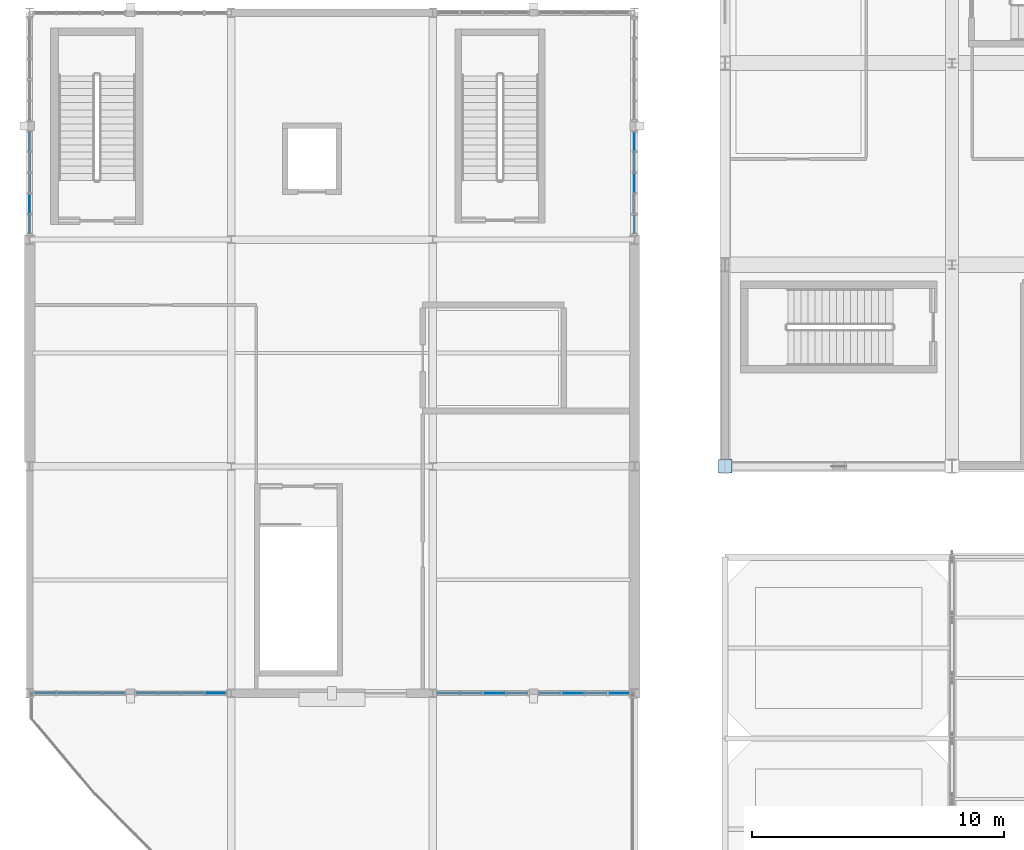
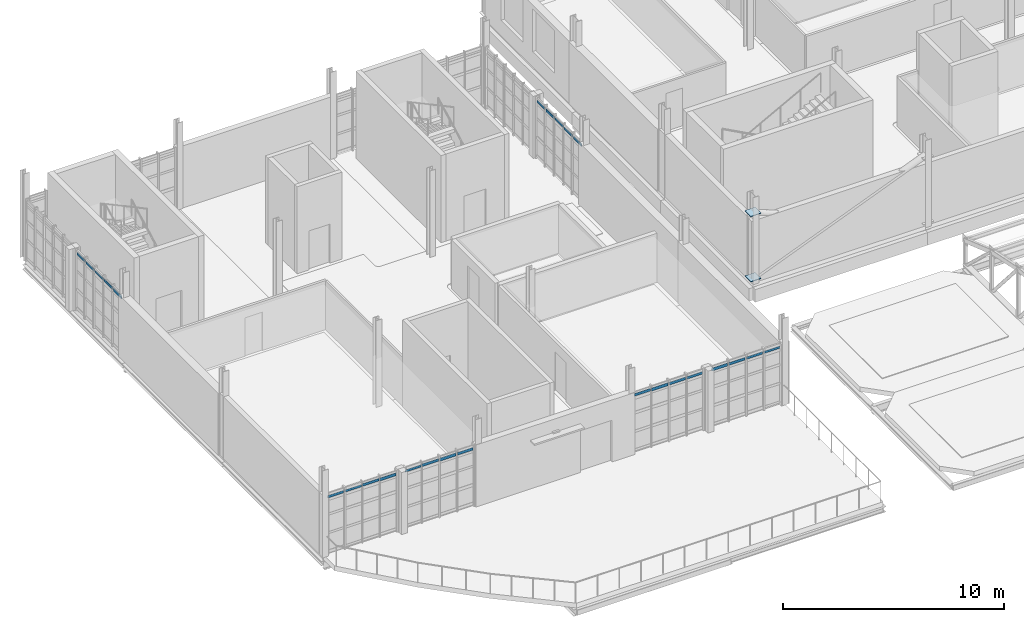
# One storey, part 96 of 128: 28 plates, 6 elements without a shape of their own.
"""IFC4 building model written with IfcOpenShell, lengths in metres."""

import ifcopenshell
import ifcopenshell.guid

model = None  # the IFC model being written
_history = None  # IfcOwnerHistory: only IFC2X3 demands one
_inside = {}  # id of a spatial element -> (the spatial element, [elements in it])
_under = {}  # id of a project, library or spatial element -> (it, [spatial elements below it])
_declared = {}  # id of a project -> (the project, [libraries it declares])
_typed = {}  # id of a type object -> (the type object, [elements of that type])
_made_of = {}  # id of a material, layer set ... -> (it, [elements and type objects made of it])


def new_model(schema):
    """Start an empty IFC model of exactly this schema.

    Asked for "IFC4X3", IfcOpenShell would pick the latest addendum, in which some entities
    have other attributes; the version numbers below select the first issue.
    IFC2X3 requires an IfcOwnerHistory on every rooted entity: one is made here for all.
    """
    global model, _history
    if schema == "IFC4X3":
        model = ifcopenshell.file(schema_version=(4, 3, 0, 0))
    else:
        model = ifcopenshell.file(schema=schema)
    _inside.clear()
    _under.clear()
    _declared.clear()
    _typed.clear()
    _made_of.clear()
    _history = None
    if model.schema == "IFC2X3":
        org = make("IfcOrganization", Name="unknown")
        user = make(
            "IfcPersonAndOrganization",
            ThePerson=make("IfcPerson", FamilyName="unknown"),
            TheOrganization=org,
        )
        app = make(
            "IfcApplication",
            ApplicationDeveloper=org,
            Version="unknown",
            ApplicationFullName="unknown",
            ApplicationIdentifier="unknown",
        )
        _history = make(
            "IfcOwnerHistory",
            OwningUser=user,
            OwningApplication=app,
            ChangeAction="ADDED",
            CreationDate=0,
        )
    return model


def make(cls, **values):
    """One entity of the class cls with the attributes given. An attribute that is None is left unset."""
    return model.create_entity(
        cls, **{name: value for name, value in values.items() if value is not None}
    )


def rooted(cls, **values):
    """An entity with a GlobalId (a new one), such as an element, a storey or a relation."""
    return make(cls, GlobalId=ifcopenshell.guid.new(), OwnerHistory=_history, **values)


def si_unit(unit_type, name, prefix=None):
    """IfcSIUnit, for example si_unit("LENGTHUNIT", "METRE", prefix="MILLI")."""
    return make("IfcSIUnit", UnitType=unit_type, Prefix=prefix, Name=name)


def assignment(units):
    """IfcUnitAssignment: the units of a project."""
    return None if units is None else make("IfcUnitAssignment", Units=units)


def point(xyz):
    """IfcCartesianPoint."""
    return None if xyz is None else make("IfcCartesianPoint", Coordinates=xyz)


def direction(xyz):
    """IfcDirection."""
    return None if xyz is None else make("IfcDirection", DirectionRatios=xyz)


def frame(location, z_axis=None, x_axis=None):
    """IfcAxis2Placement3D, a coordinate frame: its origin and axes. An axis left out is left unset."""
    return make(
        "IfcAxis2Placement3D",
        Location=point(location),
        Axis=direction(z_axis),
        RefDirection=direction(x_axis),
    )


def frame_2d(location, x_axis=None):
    """IfcAxis2Placement2D, a coordinate frame in the plane: its origin and x axis."""
    return make(
        "IfcAxis2Placement2D", Location=point(location), RefDirection=direction(x_axis)
    )


def origin():
    """The frame at (0, 0, 0) with its axes left unset."""
    return frame((0.0, 0.0, 0.0))


def origin_2d():
    """The frame at (0, 0) in the plane with its x axis left unset."""
    return frame_2d((0.0, 0.0))


def place(relative_to, where):
    """IfcLocalPlacement: puts the frame where relative to a parent placement (None: the world)."""
    return make(
        "IfcLocalPlacement", PlacementRelTo=relative_to, RelativePlacement=where
    )


def context(
    kind, dimensions, precision=None, world=None, true_north=None, identifier=None
):
    """IfcGeometricRepresentationContext, for example the 3D "Model" context."""
    return make(
        "IfcGeometricRepresentationContext",
        ContextIdentifier=identifier,
        ContextType=kind,
        CoordinateSpaceDimension=dimensions,
        Precision=precision,
        WorldCoordinateSystem=world,
        TrueNorth=true_north,
    )


def subcontext(parent, identifier, kind, view, scale=None):
    """IfcGeometricRepresentationSubContext, for example "Body" below "Model"."""
    return make(
        "IfcGeometricRepresentationSubContext",
        ContextIdentifier=identifier,
        ContextType=kind,
        ParentContext=parent,
        TargetScale=scale,
        TargetView=view,
    )


def project(units=None, contexts=None):
    """IfcProject with its units and contexts."""
    return rooted(
        "IfcProject",
        Name="project",
        RepresentationContexts=contexts,
        UnitsInContext=assignment(units),
    )


def spatial(cls, under=None, at=None, **own):
    """A site, building, storey or space (cls), placed at a placement, below another one or the project."""
    s = rooted(cls, ObjectPlacement=at, **own)
    if under is not None:
        _under.setdefault(under.id(), (under, []))[1].append(s)
    return s


def profile(cls, at=None, kind="AREA", **sizes):
    """A parametric profile (cls). Its sizes go by their IFC names, for example OverallWidth=200.0."""
    return make(cls, ProfileType=kind, Position=at, **sizes)


def rectangle(**sizes):
    """IfcRectangleProfileDef."""
    return profile("IfcRectangleProfileDef", **sizes)


def extrude(swept, where, along, depth):
    """IfcExtrudedAreaSolid: the profile swept, set in the frame where, extruded along a direction by depth."""
    return make(
        "IfcExtrudedAreaSolid",
        SweptArea=swept,
        Position=where,
        ExtrudedDirection=direction(along),
        Depth=depth,
    )


def shape(context_of_items, identifier, shape_type, items):
    """IfcShapeRepresentation: the items that make up one representation, for example the "Body"."""
    return make(
        "IfcShapeRepresentation",
        ContextOfItems=context_of_items,
        RepresentationIdentifier=identifier,
        RepresentationType=shape_type,
        Items=items,
    )


def material(Name=None, Category=None):
    """IfcMaterial."""
    return make("IfcMaterial", Name=Name, Category=Category)


def layer(
    of_material, thickness, ventilated=None, Name=None, Category=None, Priority=None
):
    """IfcMaterialLayer: one layer of a wall or slab, of a material (None: an air gap)."""
    return make(
        "IfcMaterialLayer",
        Material=of_material,
        LayerThickness=thickness,
        IsVentilated=ventilated,
        Name=Name,
        Category=Category,
        Priority=Priority,
    )


def layer_set(layers, Name=None):
    """IfcMaterialLayerSet."""
    return make("IfcMaterialLayerSet", MaterialLayers=layers, LayerSetName=Name)


def made_of(thing, what):
    """Note that an element or type object is made of a material, layer set ...; save() writes the relation."""
    if what is not None:
        _made_of.setdefault(what.id(), (what, []))[1].append(thing)
    return thing


def type_object(cls, material=None, **own):
    """A type object (cls), such as IfcWallType, which elements share."""
    return made_of(rooted(cls, **own), material)


def element(
    cls,
    number,
    at=None,
    inside=None,
    cuts=None,
    type_object=None,
    material=None,
    context=None,
    identifier="Body",
    shape_type=None,
    held_by="IfcProductDefinitionShape",
    body=None,
    shapes=None,
    **own,
):
    """One element of the class cls, such as IfcWall. Its Tag is "e" and its number.

    at: its placement. inside: the storey or other place that contains it. cuts: it is an
    opening in that element (IfcRelVoidsElement). A single representation is given by context,
    identifier, shape_type and body (its items); several are given by shapes. held_by: the class
    of the entity that holds the representations. save() writes the other relations.
    """
    e = rooted(cls, Tag="e%d" % number, ObjectPlacement=at, **own)
    if body is not None:
        shapes = [shape(context, identifier, shape_type, body)]
    if shapes is not None:
        e.Representation = make(held_by, Representations=shapes)
    if inside is not None:
        _inside.setdefault(inside.id(), (inside, []))[1].append(e)
    if cuts is not None:
        rooted(
            "IfcRelVoidsElement", RelatingBuildingElement=cuts, RelatedOpeningElement=e
        )
    if type_object is not None:
        _typed.setdefault(type_object.id(), (type_object, []))[1].append(e)
    return made_of(e, material)


def aggregate(whole, parts):
    """IfcRelAggregates: a whole, such as a stair, and the parts it consists of."""
    return rooted("IfcRelAggregates", RelatingObject=whole, RelatedObjects=parts)


def save(model, path):
    """Write the relations noted so far, then the file.

    IfcRelAggregates (storeys below a building ...), IfcRelContainedInSpatialStructure (elements
    in a storey), IfcRelDefinesByType, IfcRelAssociatesMaterial and IfcRelDeclares: one each for
    every whole, place, type object, material and project.
    """
    for whole, parts in _under.values():
        aggregate(whole, parts)
    for where, things in _inside.values():
        rooted(
            "IfcRelContainedInSpatialStructure",
            RelatedElements=things,
            RelatingStructure=where,
        )
    for kind, things in _typed.values():
        rooted("IfcRelDefinesByType", RelatedObjects=things, RelatingType=kind)
    for what, things in _made_of.values():
        rooted("IfcRelAssociatesMaterial", RelatedObjects=things, RelatingMaterial=what)
    for by, libraries in _declared.values():
        rooted("IfcRelDeclares", RelatingContext=by, RelatedDefinitions=libraries)
    model.write(path)


model = new_model("IFC4")

# Units and contexts
model_context = context("Model", 3, precision=1e-05, world=origin(), true_north=direction((0.0, 1.0)))
body_context = subcontext(model_context, "Body", "Model", "MODEL_VIEW")
ifc_project = project(units=[si_unit("LENGTHUNIT", "METRE"), si_unit("AREAUNIT", "SQUARE_METRE"), si_unit("VOLUMEUNIT", "CUBIC_METRE"), si_unit("PLANEANGLEUNIT", "RADIAN"), si_unit("MASSUNIT", "GRAM", prefix="KILO")], contexts=[model_context])

# Site, building, storey
site_placement = place(None, origin())
site = spatial("IfcSite", under=ifc_project, at=site_placement, CompositionType="ELEMENT")
building_placement = place(site_placement, origin())
building = spatial("IfcBuilding", under=site, at=building_placement, Name="Serraforn Aerial Cableway Station", CompositionType="ELEMENT")
storey_placement = place(building_placement, frame((0.0, 0.0, 9.0)))
storey = spatial("IfcBuildingStorey", under=building, at=storey_placement, Name="L02", CompositionType="ELEMENT", Elevation=9.0)

# Curtain wall, plate
ifc_material_1 = material(Name="Anodised bronze unitised curtain wall")
curtain_wall_type_1 = type_object("IfcCurtainWallType", Name="CW-SYS-26", PredefinedType="USERDEFINED", material=ifc_material_1)
curtain_wall_1_placement = place(storey_placement, origin())
curtain_wall_1 = element("IfcCurtainWall", 1, at=curtain_wall_1_placement, inside=storey, type_object=curtain_wall_type_1, Name="Unitised Curtain Wall CW-W-L02-S3B", ObjectType="UNITISED CURTAIN WALL", PredefinedType="USERDEFINED")
ifc_material_2 = material(Name="Solar-control low-E double glazing", Category="glass")
ifc_layer_1 = layer(ifc_material_2, 0.02587890625)
ifc_layer_set_1 = layer_set([ifc_layer_1], Name="Solar-control low-E double glazing")
plate_type_1 = type_object("IfcPlateType", Name="CW-GLZ-1", PredefinedType="CURTAIN_PANEL", material=ifc_layer_set_1)
plate_1_placement = place(storey_placement, frame((23.38427734375, 9.0, 3.08251953125), z_axis=(0.0, 0.0, 1.0), x_axis=(1.0, 0.0, 0.0)))
plate_1 = element("IfcPlate", 2, at=plate_1_placement, type_object=plate_type_1, Name="Curtain Wall Panel CW-W-L02-S3B-P4-4", PredefinedType="CURTAIN_PANEL", context=body_context, shape_type="SweptSolid", body=[
    extrude(rectangle(XDim=0.82958984375, YDim=0.02587890625, at=origin_2d()), origin(), (0.0, 0.0, 1.0), 0.1201171875),
])

curtain_wall_type_2 = type_object("IfcCurtainWallType", Name="CW-SYS-5", PredefinedType="USERDEFINED", material=ifc_material_1)
curtain_wall_2_placement = place(storey_placement, origin())
curtain_wall_2 = element("IfcCurtainWall", 3, at=curtain_wall_2_placement, inside=storey, type_object=curtain_wall_type_2, Name="Unitised Curtain Wall CW-W-L02-E3A", ObjectType="UNITISED CURTAIN WALL", PredefinedType="USERDEFINED")
plate_2_placement = place(storey_placement, frame((24.0, 30.88720703125, 3.0673828125), z_axis=(0.0, 0.0, 1.0), x_axis=(1.0, 0.0, 0.0)))
plate_2 = element("IfcPlate", 4, at=plate_2_placement, type_object=plate_type_1, Name="Curtain Wall Panel CW-W-L02-E3A-P5-4", PredefinedType="CURTAIN_PANEL", context=body_context, shape_type="SweptSolid", body=[
    extrude(rectangle(XDim=0.02587890625, YDim=0.72998046875, at=origin_2d()), origin(), (0.0, 0.0, 1.0), 0.150146484375),
])

# Curtain wall, plates
curtain_wall_type_3 = type_object("IfcCurtainWallType", Name="CW-SYS-23", PredefinedType="USERDEFINED", material=ifc_material_1)
curtain_wall_3_placement = place(storey_placement, origin())
curtain_wall_3 = element("IfcCurtainWall", 5, at=curtain_wall_3_placement, inside=storey, type_object=curtain_wall_type_3, Name="Unitised Curtain Wall CW-W-L02-S1A", ObjectType="UNITISED CURTAIN WALL", PredefinedType="USERDEFINED")
ifc_layer_2 = layer(ifc_material_2, 0.030029296875)
ifc_layer_set_2 = layer_set([ifc_layer_2], Name="Solar-control low-E double glazing")
plate_type_2 = type_object("IfcPlateType", Name="CW-GLZ-3", PredefinedType="CURTAIN_PANEL", material=ifc_layer_set_2)
plate_3_placement = place(storey_placement, frame((0.623291015625, 9.0, 3.0751953125), z_axis=(0.0, 0.0, 1.0), x_axis=(1.0, 0.0, 0.0)))
plate_3 = element("IfcPlate", 6, at=plate_3_placement, type_object=plate_type_2, Name="Curtain Wall Panel CW-W-L02-S1A-P1-4", PredefinedType="CURTAIN_PANEL", context=body_context, shape_type="SweptSolid", body=[
    extrude(rectangle(XDim=0.814453125, YDim=0.030029296875, at=origin_2d()), origin(), (0.0, 0.0, 1.0), 0.135009765625),
])
ifc_layer_3 = layer(ifc_material_2, 0.031982421875)
ifc_layer_set_3 = layer_set([ifc_layer_3], Name="Solar-control low-E double glazing")
plate_type_3 = type_object("IfcPlateType", Name="CW-GLZ-4", PredefinedType="CURTAIN_PANEL", material=ifc_layer_set_3)
plate_4_placement = place(storey_placement, frame((1.530029296875, 9.0, 3.08251953125), z_axis=(0.0, 0.0, 1.0), x_axis=(1.0, 0.0, 0.0)))
plate_4 = element("IfcPlate", 7, at=plate_4_placement, type_object=plate_type_3, Name="Curtain Wall Panel CW-W-L02-S1A-P2-4", PredefinedType="CURTAIN_PANEL", context=body_context, shape_type="SweptSolid", body=[
    extrude(rectangle(XDim=0.85693359375, YDim=0.031982421875, at=origin_2d()), origin(), (0.0, 0.0, 1.0), 0.1201171875),
])

# Curtain wall, plate
curtain_wall_type_4 = type_object("IfcCurtainWallType", Name="CW-SYS-24", PredefinedType="USERDEFINED", material=ifc_material_1)
curtain_wall_4_placement = place(storey_placement, origin())
curtain_wall_4 = element("IfcCurtainWall", 8, at=curtain_wall_4_placement, inside=storey, type_object=curtain_wall_type_4, Name="Unitised Curtain Wall CW-W-L02-S1B", ObjectType="UNITISED CURTAIN WALL", PredefinedType="USERDEFINED")
plate_5_placement = place(storey_placement, frame((4.66259765625, 9.0, 3.08251953125), z_axis=(0.0, 0.0, 1.0), x_axis=(1.0, 0.0, 0.0)))
plate_5 = element("IfcPlate", 9, at=plate_5_placement, type_object=plate_type_3, Name="Curtain Wall Panel CW-W-L02-S1B-P1-4", PredefinedType="CURTAIN_PANEL", context=body_context, shape_type="SweptSolid", body=[
    extrude(rectangle(XDim=0.819580078125, YDim=0.031982421875, at=origin_2d()), origin(), (0.0, 0.0, 1.0), 0.1201171875),
])

curtain_wall_type_5 = type_object("IfcCurtainWallType", Name="CW-SYS-4", PredefinedType="USERDEFINED", material=ifc_material_1)
curtain_wall_5_placement = place(storey_placement, origin())
curtain_wall_5 = element("IfcCurtainWall", 10, at=curtain_wall_5_placement, inside=storey, type_object=curtain_wall_type_5, Name="Unitised Curtain Wall CW-W-L02-W3B", ObjectType="UNITISED CURTAIN WALL", PredefinedType="USERDEFINED")
plate_6_placement = place(storey_placement, frame((0.0, 30.890869140625, 3.0673828125), z_axis=(0.0, 0.0, 1.0), x_axis=(1.0, 0.0, 0.0)))
plate_6 = element("IfcPlate", 11, at=plate_6_placement, type_object=plate_type_3, Name="Curtain Wall Panel CW-W-L02-W3B-P1-4", PredefinedType="CURTAIN_PANEL", context=body_context, shape_type="SweptSolid", body=[
    extrude(rectangle(XDim=0.031982421875, YDim=0.732421875, at=origin_2d()), origin(), (0.0, 0.0, 1.0), 0.150146484375),
])

# Plate
ifc_layer_4 = layer(ifc_material_2, 0.033935546875)
ifc_layer_set_4 = layer_set([ifc_layer_4], Name="Solar-control low-E double glazing")
plate_type_4 = type_object("IfcPlateType", Name="CW-GLZ-5", PredefinedType="CURTAIN_PANEL", material=ifc_layer_set_4)
plate_7_placement = place(storey_placement, frame((2.441650390625, 9.0, 3.090087890625), z_axis=(0.0, 0.0, 1.0), x_axis=(1.0, 0.0, 0.0)))
plate_7 = element("IfcPlate", 12, at=plate_7_placement, type_object=plate_type_4, Name="Curtain Wall Panel CW-W-L02-S1A-P3-4", PredefinedType="CURTAIN_PANEL", context=body_context, shape_type="SweptSolid", body=[
    extrude(rectangle(XDim=0.864501953125, YDim=0.033935546875, at=origin_2d()), origin(), (0.0, 0.0, 1.0), 0.14013671875),
])

plate_8_placement = place(storey_placement, frame((5.5556640625, 9.0, 3.090087890625), z_axis=(0.0, 0.0, 1.0), x_axis=(1.0, 0.0, 0.0)))
plate_8 = element("IfcPlate", 13, at=plate_8_placement, type_object=plate_type_4, Name="Curtain Wall Panel CW-W-L02-S1B-P2-4", PredefinedType="CURTAIN_PANEL", context=body_context, shape_type="SweptSolid", body=[
    extrude(rectangle(XDim=0.864501953125, YDim=0.033935546875, at=origin_2d()), origin(), (0.0, 0.0, 1.0), 0.14013671875),
])

# Curtain wall, plate
curtain_wall_type_6 = type_object("IfcCurtainWallType", Name="CW-SYS-25", PredefinedType="USERDEFINED", material=ifc_material_1)
curtain_wall_6_placement = place(storey_placement, origin())
curtain_wall_6 = element("IfcCurtainWall", 14, at=curtain_wall_6_placement, inside=storey, type_object=curtain_wall_type_6, Name="Unitised Curtain Wall CW-W-L02-S3A", ObjectType="UNITISED CURTAIN WALL", PredefinedType="USERDEFINED")
plate_9_placement = place(storey_placement, frame((16.619384765625, 9.0, 3.090087890625), z_axis=(0.0, 0.0, 1.0), x_axis=(1.0, 0.0, 0.0)))
plate_9 = element("IfcPlate", 15, at=plate_9_placement, type_object=plate_type_4, Name="Curtain Wall Panel CW-W-L02-S3A-P1-4", PredefinedType="CURTAIN_PANEL", context=body_context, shape_type="SweptSolid", body=[
    extrude(rectangle(XDim=0.8369140625, YDim=0.033935546875, at=origin_2d()), origin(), (0.0, 0.0, 1.0), 0.14013671875),
])

# Plate
plate_10_placement = place(storey_placement, frame((0.0, 30.07861328125, 3.0751953125), z_axis=(0.0, 0.0, 1.0), x_axis=(1.0, 0.0, 0.0)))
plate_10 = element("IfcPlate", 16, at=plate_10_placement, type_object=plate_type_4, Name="Curtain Wall Panel CW-W-L02-W3B-P2-4", PredefinedType="CURTAIN_PANEL", context=body_context, shape_type="SweptSolid", body=[
    extrude(rectangle(XDim=0.033935546875, YDim=0.760009765625, at=origin_2d()), origin(), (0.0, 0.0, 1.0), 0.135009765625),
])

plate_11_placement = place(storey_placement, frame((24.0, 27.6083984375, 3.0751953125), z_axis=(0.0, 0.0, 1.0), x_axis=(1.0, 0.0, 0.0)))
plate_11 = element("IfcPlate", 17, at=plate_11_placement, type_object=plate_type_4, Name="Curtain Wall Panel CW-W-L02-E3A-P1-4", PredefinedType="CURTAIN_PANEL", context=body_context, shape_type="SweptSolid", body=[
    extrude(rectangle(XDim=0.033935546875, YDim=0.724853515625, at=origin_2d()), origin(), (0.0, 0.0, 1.0), 0.135009765625),
])

ifc_layer_5 = layer(ifc_material_2, 0.035888671875)
ifc_layer_set_5 = layer_set([ifc_layer_5], Name="Solar-control low-E double glazing")
plate_type_5 = type_object("IfcPlateType", Name="CW-GLZ-6", PredefinedType="CURTAIN_PANEL", material=ifc_layer_set_5)
plate_12_placement = place(storey_placement, frame((3.343505859375, 9.0, 3.0625), z_axis=(0.0, 0.0, 1.0), x_axis=(1.0, 0.0, 0.0)))
plate_12 = element("IfcPlate", 18, at=plate_12_placement, type_object=plate_type_5, Name="Curtain Wall Panel CW-W-L02-S1A-P4-4", PredefinedType="CURTAIN_PANEL", context=body_context, shape_type="SweptSolid", body=[
    extrude(rectangle(XDim=0.826904296875, YDim=0.035888671875, at=origin_2d()), origin(), (0.0, 0.0, 1.0), 0.16259765625),
])

aggregate(curtain_wall_3, [plate_3, plate_4, plate_7, plate_12])

plate_13_placement = place(storey_placement, frame((6.4736328125, 9.0, 3.0625), z_axis=(0.0, 0.0, 1.0), x_axis=(1.0, 0.0, 0.0)))
plate_13 = element("IfcPlate", 19, at=plate_13_placement, type_object=plate_type_5, Name="Curtain Wall Panel CW-W-L02-S1B-P3-4", PredefinedType="CURTAIN_PANEL", context=body_context, shape_type="SweptSolid", body=[
    extrude(rectangle(XDim=0.859619140625, YDim=0.035888671875, at=origin_2d()), origin(), (0.0, 0.0, 1.0), 0.16259765625),
])

plate_14_placement = place(storey_placement, frame((17.523681640625, 9.0, 3.0625), z_axis=(0.0, 0.0, 1.0), x_axis=(1.0, 0.0, 0.0)))
plate_14 = element("IfcPlate", 20, at=plate_14_placement, type_object=plate_type_5, Name="Curtain Wall Panel CW-W-L02-S3A-P2-4", PredefinedType="CURTAIN_PANEL", context=body_context, shape_type="SweptSolid", body=[
    extrude(rectangle(XDim=0.859619140625, YDim=0.035888671875, at=origin_2d()), origin(), (0.0, 0.0, 1.0), 0.16259765625),
])

plate_15_placement = place(storey_placement, frame((20.65283203125, 9.0, 3.0625), z_axis=(0.0, 0.0, 1.0), x_axis=(1.0, 0.0, 0.0)))
plate_15 = element("IfcPlate", 21, at=plate_15_placement, type_object=plate_type_5, Name="Curtain Wall Panel CW-W-L02-S3B-P1-4", PredefinedType="CURTAIN_PANEL", context=body_context, shape_type="SweptSolid", body=[
    extrude(rectangle(XDim=0.82958984375, YDim=0.035888671875, at=origin_2d()), origin(), (0.0, 0.0, 1.0), 0.16259765625),
])

plate_16_placement = place(storey_placement, frame((0.0, 29.243896484375, 3.08251953125), z_axis=(0.0, 0.0, 1.0), x_axis=(1.0, 0.0, 0.0)))
plate_16 = element("IfcPlate", 22, at=plate_16_placement, type_object=plate_type_5, Name="Curtain Wall Panel CW-W-L02-W3B-P3-4", PredefinedType="CURTAIN_PANEL", context=body_context, shape_type="SweptSolid", body=[
    extrude(rectangle(XDim=0.035888671875, YDim=0.767333984375, at=origin_2d()), origin(), (0.0, 0.0, 1.0), 0.1201171875),
])

plate_17_placement = place(storey_placement, frame((24.0, 28.425537109375, 3.08251953125), z_axis=(0.0, 0.0, 1.0), x_axis=(1.0, 0.0, 0.0)))
plate_17 = element("IfcPlate", 23, at=plate_17_placement, type_object=plate_type_5, Name="Curtain Wall Panel CW-W-L02-E3A-P2-4", PredefinedType="CURTAIN_PANEL", context=body_context, shape_type="SweptSolid", body=[
    extrude(rectangle(XDim=0.035888671875, YDim=0.767333984375, at=origin_2d()), origin(), (0.0, 0.0, 1.0), 0.1201171875),
])

ifc_layer_6 = layer(ifc_material_2, 0.029052734375)
ifc_layer_set_6 = layer_set([ifc_layer_6], Name="Solar-control low-E double glazing")
plate_type_6 = type_object("IfcPlateType", Name="CW-GLZ-7", PredefinedType="CURTAIN_PANEL", material=ifc_layer_set_6)
plate_18_placement = place(storey_placement, frame((7.374267578125, 9.0, 3.0673828125), z_axis=(0.0, 0.0, 1.0), x_axis=(1.0, 0.0, 0.0)))
plate_18 = element("IfcPlate", 24, at=plate_18_placement, type_object=plate_type_6, Name="Curtain Wall Panel CW-W-L02-S1B-P4-4", PredefinedType="CURTAIN_PANEL", context=body_context, shape_type="SweptSolid", body=[
    extrude(rectangle(XDim=0.819580078125, YDim=0.029052734375, at=origin_2d()), origin(), (0.0, 0.0, 1.0), 0.150146484375),
])

aggregate(curtain_wall_4, [plate_5, plate_8, plate_13, plate_18])

plate_19_placement = place(storey_placement, frame((18.441650390625, 9.0, 3.0673828125), z_axis=(0.0, 0.0, 1.0), x_axis=(1.0, 0.0, 0.0)))
plate_19 = element("IfcPlate", 25, at=plate_19_placement, type_object=plate_type_6, Name="Curtain Wall Panel CW-W-L02-S3A-P3-4", PredefinedType="CURTAIN_PANEL", context=body_context, shape_type="SweptSolid", body=[
    extrude(rectangle(XDim=0.8544921875, YDim=0.029052734375, at=origin_2d()), origin(), (0.0, 0.0, 1.0), 0.150146484375),
])

plate_20_placement = place(storey_placement, frame((21.5556640625, 9.0, 3.0673828125), z_axis=(0.0, 0.0, 1.0), x_axis=(1.0, 0.0, 0.0)))
plate_20 = element("IfcPlate", 26, at=plate_20_placement, type_object=plate_type_6, Name="Curtain Wall Panel CW-W-L02-S3B-P2-4", PredefinedType="CURTAIN_PANEL", context=body_context, shape_type="SweptSolid", body=[
    extrude(rectangle(XDim=0.8544921875, YDim=0.029052734375, at=origin_2d()), origin(), (0.0, 0.0, 1.0), 0.150146484375),
])

plate_21_placement = place(storey_placement, frame((0.0, 28.421875, 3.090087890625), z_axis=(0.0, 0.0, 1.0), x_axis=(1.0, 0.0, 0.0)))
plate_21 = element("IfcPlate", 27, at=plate_21_placement, type_object=plate_type_6, Name="Curtain Wall Panel CW-W-L02-W3B-P4-4", PredefinedType="CURTAIN_PANEL", context=body_context, shape_type="SweptSolid", body=[
    extrude(rectangle(XDim=0.029052734375, YDim=0.77490234375, at=origin_2d()), origin(), (0.0, 0.0, 1.0), 0.14013671875),
])

plate_22_placement = place(storey_placement, frame((24.0, 29.247802734375, 3.090087890625), z_axis=(0.0, 0.0, 1.0), x_axis=(1.0, 0.0, 0.0)))
plate_22 = element("IfcPlate", 28, at=plate_22_placement, type_object=plate_type_6, Name="Curtain Wall Panel CW-W-L02-E3A-P3-4", PredefinedType="CURTAIN_PANEL", context=body_context, shape_type="SweptSolid", body=[
    extrude(rectangle(XDim=0.029052734375, YDim=0.77490234375, at=origin_2d()), origin(), (0.0, 0.0, 1.0), 0.14013671875),
])

ifc_layer_7 = layer(ifc_material_2, 0.031005859375)
ifc_layer_set_7 = layer_set([ifc_layer_7], Name="Solar-control low-E double glazing")
plate_type_7 = type_object("IfcPlateType", Name="CW-GLZ-8", PredefinedType="CURTAIN_PANEL", material=ifc_layer_set_7)
plate_23_placement = place(storey_placement, frame((19.341064453125, 9.0, 3.0751953125), z_axis=(0.0, 0.0, 1.0), x_axis=(1.0, 0.0, 0.0)))
plate_23 = element("IfcPlate", 29, at=plate_23_placement, type_object=plate_type_7, Name="Curtain Wall Panel CW-W-L02-S3A-P4-4", PredefinedType="CURTAIN_PANEL", context=body_context, shape_type="SweptSolid", body=[
    extrude(rectangle(XDim=0.81201171875, YDim=0.031005859375, at=origin_2d()), origin(), (0.0, 0.0, 1.0), 0.135009765625),
])

aggregate(curtain_wall_6, [plate_9, plate_14, plate_19, plate_23])

plate_24_placement = place(storey_placement, frame((22.4736328125, 9.0, 3.0751953125), z_axis=(0.0, 0.0, 1.0), x_axis=(1.0, 0.0, 0.0)))
plate_24 = element("IfcPlate", 30, at=plate_24_placement, type_object=plate_type_7, Name="Curtain Wall Panel CW-W-L02-S3B-P3-4", PredefinedType="CURTAIN_PANEL", context=body_context, shape_type="SweptSolid", body=[
    extrude(rectangle(XDim=0.849609375, YDim=0.031005859375, at=origin_2d()), origin(), (0.0, 0.0, 1.0), 0.135009765625),
])

aggregate(curtain_wall_1, [plate_15, plate_20, plate_24, plate_1])

plate_25_placement = place(storey_placement, frame((0.0, 27.609619140625, 3.0625), z_axis=(0.0, 0.0, 1.0), x_axis=(1.0, 0.0, 0.0)))
plate_25 = element("IfcPlate", 31, at=plate_25_placement, type_object=plate_type_7, Name="Curtain Wall Panel CW-W-L02-W3B-P5-4", PredefinedType="CURTAIN_PANEL", context=body_context, shape_type="SweptSolid", body=[
    extrude(rectangle(XDim=0.031005859375, YDim=0.7373046875, at=origin_2d()), origin(), (0.0, 0.0, 1.0), 0.16259765625),
])

aggregate(curtain_wall_5, [plate_6, plate_10, plate_16, plate_21, plate_25])

plate_26_placement = place(storey_placement, frame((24.0, 30.076171875, 3.0625), z_axis=(0.0, 0.0, 1.0), x_axis=(1.0, 0.0, 0.0)))
plate_26 = element("IfcPlate", 32, at=plate_26_placement, type_object=plate_type_7, Name="Curtain Wall Panel CW-W-L02-E3A-P4-4", PredefinedType="CURTAIN_PANEL", context=body_context, shape_type="SweptSolid", body=[
    extrude(rectangle(XDim=0.031005859375, YDim=0.77001953125, at=origin_2d()), origin(), (0.0, 0.0, 1.0), 0.16259765625),
])

aggregate(curtain_wall_2, [plate_11, plate_17, plate_22, plate_26, plate_2])

# Plates
ifc_material_3 = material(Name="Steel S355J2", Category="steel")
ifc_layer_8 = layer(ifc_material_3, 0.031982421875)
ifc_layer_set_8 = layer_set([ifc_layer_8], Name="Steel S355J2")
plate_type_8 = type_object("IfcPlateType", Name="PLT-CAP-32", PredefinedType="USERDEFINED", material=ifc_layer_set_8)
for number, where, z_axis, x_axis, name in (
    (33, (27.60009765625, 18.0, 0.18408203125), (0.0, 0.0, 1.0), (1.0, 0.0, 0.0), "Wind Brace Cap Plate 1-A"),
    (34, (27.60009765625, 18.0, 3.7841796875), (0.0, 0.0, 1.0), (1.0, 0.0, 0.0), "Split X-Brace Outer Cap 1-A"),
):
    element("IfcPlate", number, at=place(storey_placement, frame(where, z_axis=z_axis, x_axis=x_axis)), inside=storey, type_object=plate_type_8, Name=name, ObjectType="CAP PLATE", PredefinedType="USERDEFINED", context=body_context, shape_type="SweptSolid", body=[
        extrude(rectangle(XDim=0.5400390625, YDim=0.5400390625, at=origin_2d()), origin(), (0.0, 0.0, 1.0), 0.031982421875),
    ])

save(model, "model.ifc")
